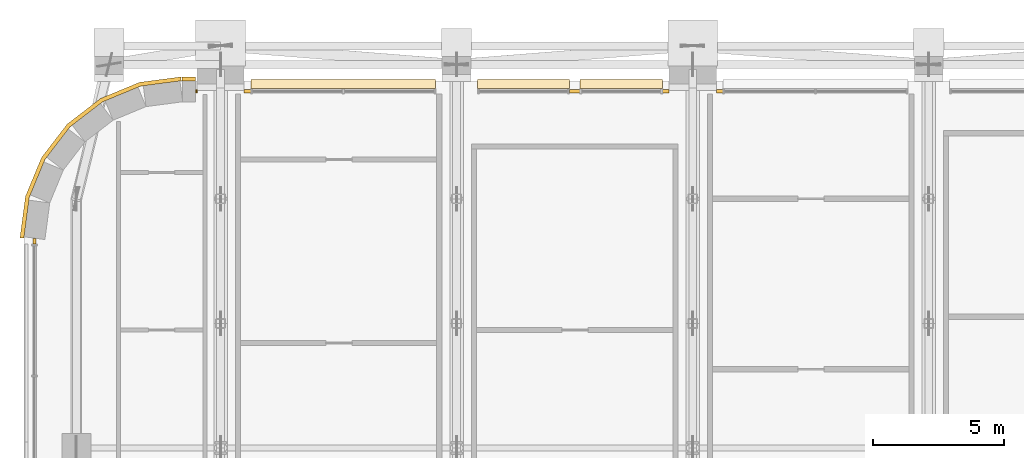
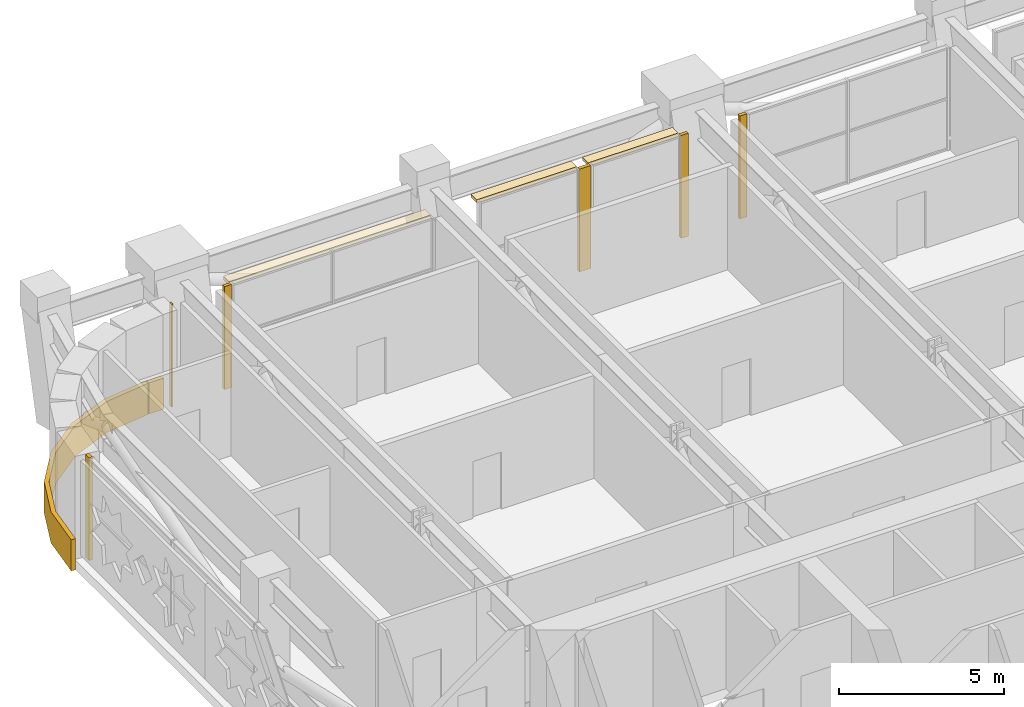
# One storey, part 23 of 27: 11 coverings.
"""IFC4 building model written with IfcOpenShell, lengths in metres."""

from ifc_helpers import new_model, si_unit, direction, frame, origin, origin_2d, place, context, subcontext, project, spatial, polyline, rectangle, outline, extrude, material, layer, layer_set, type_object, element, save


model = new_model("IFC4")

# Units and contexts
model_context = context("Model", 3, precision=1e-05, world=origin(), true_north=direction((0.0, 1.0)))
body_context = subcontext(model_context, "Body", "Model", "MODEL_VIEW")
ifc_project = project(units=[si_unit("LENGTHUNIT", "METRE"), si_unit("AREAUNIT", "SQUARE_METRE"), si_unit("VOLUMEUNIT", "CUBIC_METRE"), si_unit("PLANEANGLEUNIT", "RADIAN"), si_unit("MASSUNIT", "GRAM", prefix="KILO")], contexts=[model_context])

# Site, building, storey
site_placement = place(None, origin())
site = spatial("IfcSite", under=ifc_project, at=site_placement, CompositionType="ELEMENT")
building_placement = place(site_placement, origin())
building = spatial("IfcBuilding", under=site, at=building_placement, Name="Zellij Exchange Tower", CompositionType="ELEMENT")
storey_placement = place(building_placement, frame((0.0, 0.0, 104.5)))
storey = spatial("IfcBuildingStorey", under=building, at=storey_placement, Name="L22", CompositionType="ELEMENT", Elevation=104.5)

# Coverings
ifc_material_1 = material(Name="Limestone cladding", Category="masonry")
ifc_layer_1 = layer(ifc_material_1, 0.14990234375)
ifc_layer_set_1 = layer_set([ifc_layer_1], Name="Limestone cladding")
covering_type_1 = type_object("IfcCoveringType", Name="ENV-CV1 Stone spandrel band 150", PredefinedType="CLADDING", material=ifc_layer_set_1)
covering_1_placement = place(storey_placement, frame((0.0, 0.0, -0.35009765625)))
element("IfcCovering", 1, at=covering_1_placement, inside=storey, type_object=covering_type_1, Name="Stone spandrel band", PredefinedType="CLADDING", context=body_context, shape_type="SweptSolid", body=[
    extrude(outline(polyline([(-27.949951171875, 18.5), (-28.473876953125, 18.5), (-28.483642578125, 18.64990234375), (-27.949951171875, 18.64990234375), (-27.949951171875, 18.5)])), origin(), (0.0, 0.0, 1.0), 1.150146484375),
])
covering_2_placement = place(storey_placement, frame((0.0, 0.0, -0.35009765625)))
element("IfcCovering", 2, at=covering_2_placement, inside=storey, type_object=covering_type_1, Name="Stone spandrel band", PredefinedType="CLADDING", context=body_context, shape_type="SweptSolid", body=[
    extrude(outline(polyline([(-28.5, 18.5), (-30.052978515625, 18.295654296875), (-31.5, 17.6962890625), (-32.74267578125, 16.74267578125), (-33.6962890625, 15.5), (-34.295654296875, 14.052978515625), (-34.5, 12.5), (-34.64990234375, 12.509765625), (-34.441650390625, 14.092041015625), (-33.8271484375, 15.57568359375), (-32.849609375, 16.849609375), (-31.57568359375, 17.8271484375), (-30.092041015625, 18.441650390625), (-28.509765625, 18.64990234375), (-28.5, 18.5)])), origin(), (0.0, 0.0, 1.0), 1.150146484375),
])
ifc_layer_2 = layer(ifc_material_1, 0.1201171875)
ifc_layer_set_2 = layer_set([ifc_layer_2], Name="Limestone cladding")
covering_type_2 = type_object("IfcCoveringType", Name="ENV-CV18 Glazing closer 120", PredefinedType="CLADDING", material=ifc_layer_set_2)
covering_3_placement = place(storey_placement, frame((-13.5, 18.10009765625, 0.0), z_axis=(0.0, 0.0, 1.0), x_axis=(-1.0, 0.0, 0.0)))
element("IfcCovering", 3, at=covering_3_placement, inside=storey, type_object=covering_type_2, Name="Glazing closer", PredefinedType="CLADDING", context=body_context, shape_type="SweptSolid", body=[
    extrude(rectangle(XDim=0.39990234375, YDim=0.1201171875, at=origin_2d()), origin(), (0.0, 0.0, 1.0), 3.800048828125),
])
for number, where, z_axis, x_axis, name in (
    (4, (-25.97509765625, 18.10009765625, 0.0), (0.0, 0.0, 1.0), (-1.0, 0.0, 0.0), "Glazing closer"),
    (5, (-7.97509765625, 18.10009765625, 0.0), (0.0, 0.0, 1.0), (-1.0, 0.0, 0.0), "Glazing closer"),
    (6, (-10.02490234375, 18.10009765625, 0.0), (0.0, 0.0, 1.0), (1.0, 0.0, 0.0), "Glazing closer"),
):
    element("IfcCovering", number, at=place(storey_placement, frame(where, z_axis=z_axis, x_axis=x_axis)), inside=storey, type_object=covering_type_2, Name=name, PredefinedType="CLADDING", context=body_context, shape_type="SweptSolid", body=[
        extrude(rectangle(XDim=0.25, YDim=0.1201171875, at=origin_2d()), origin(), (0.0, 0.0, 1.0), 3.800048828125),
    ])
covering_4_placement = place(storey_placement, frame((-34.10009765625, 12.383056640625, 0.0), z_axis=(0.0, 0.0, 1.0), x_axis=(0.0, 1.0, 0.0)))
element("IfcCovering", 7, at=covering_4_placement, inside=storey, type_object=covering_type_2, Name="Glazing closer", PredefinedType="CLADDING", context=body_context, shape_type="SweptSolid", body=[
    extrude(rectangle(XDim=0.218505859375, YDim=0.1201171875, at=origin_2d()), origin(), (0.0, 0.0, 1.0), 3.800048828125),
])
covering_5_placement = place(storey_placement, frame((-27.925048828125, 18.10009765625, 0.0), z_axis=(0.0, 0.0, 1.0), x_axis=(1.0, 0.0, 0.0)))
element("IfcCovering", 8, at=covering_5_placement, inside=storey, type_object=covering_type_2, Name="Glazing closer", PredefinedType="CLADDING", context=body_context, shape_type="SweptSolid", body=[
    extrude(rectangle(XDim=0.050048828125, YDim=0.1201171875, at=origin_2d()), origin(), (0.0, 0.0, 1.0), 3.800048828125),
])
ifc_material_2 = material(Name="Limestone sunshade", Category="masonry")
ifc_layer_3 = layer(ifc_material_2, 0.1201171875)
ifc_layer_set_3 = layer_set([ifc_layer_3], Name="Limestone sunshade")
covering_type_3 = type_object("IfcCoveringType", Name="ENV-SC2 Stone sunshade 120", PredefinedType="USERDEFINED", material=ifc_layer_set_3)
covering_6_placement = place(storey_placement, frame((0.0, 0.0, 3.679931640625)))
element("IfcCovering", 9, at=covering_6_placement, inside=storey, type_object=covering_type_3, Name="Stone sunshade", ObjectType="SUNSHADE", PredefinedType="USERDEFINED", context=body_context, shape_type="SweptSolid", body=[
    extrude(outline(polyline([(-10.14990234375, 18.199951171875), (-13.300048828125, 18.199951171875), (-13.300048828125, 18.550048828125), (-10.14990234375, 18.550048828125), (-10.14990234375, 18.199951171875)])), origin(), (0.0, 0.0, 1.0), 0.1201171875),
])
covering_7_placement = place(storey_placement, frame((0.0, 0.0, 3.679931640625)))
element("IfcCovering", 10, at=covering_7_placement, inside=storey, type_object=covering_type_3, Name="Stone sunshade", ObjectType="SUNSHADE", PredefinedType="USERDEFINED", context=body_context, shape_type="SweptSolid", body=[
    extrude(outline(polyline([(-13.699951171875, 18.199951171875), (-17.199951171875, 18.199951171875), (-17.199951171875, 18.550048828125), (-13.699951171875, 18.550048828125), (-13.699951171875, 18.199951171875)])), origin(), (0.0, 0.0, 1.0), 0.1201171875),
])
covering_8_placement = place(storey_placement, frame((0.0, 0.0, 3.679931640625)))
element("IfcCovering", 11, at=covering_8_placement, inside=storey, type_object=covering_type_3, Name="Stone sunshade", ObjectType="SUNSHADE", PredefinedType="USERDEFINED", context=body_context, shape_type="SweptSolid", body=[
    extrude(outline(polyline([(-18.800048828125, 18.199951171875), (-25.85009765625, 18.199951171875), (-25.85009765625, 18.550048828125), (-18.800048828125, 18.550048828125), (-18.800048828125, 18.199951171875)])), origin(), (0.0, 0.0, 1.0), 0.1201171875),
])

save(model, "model.ifc")
